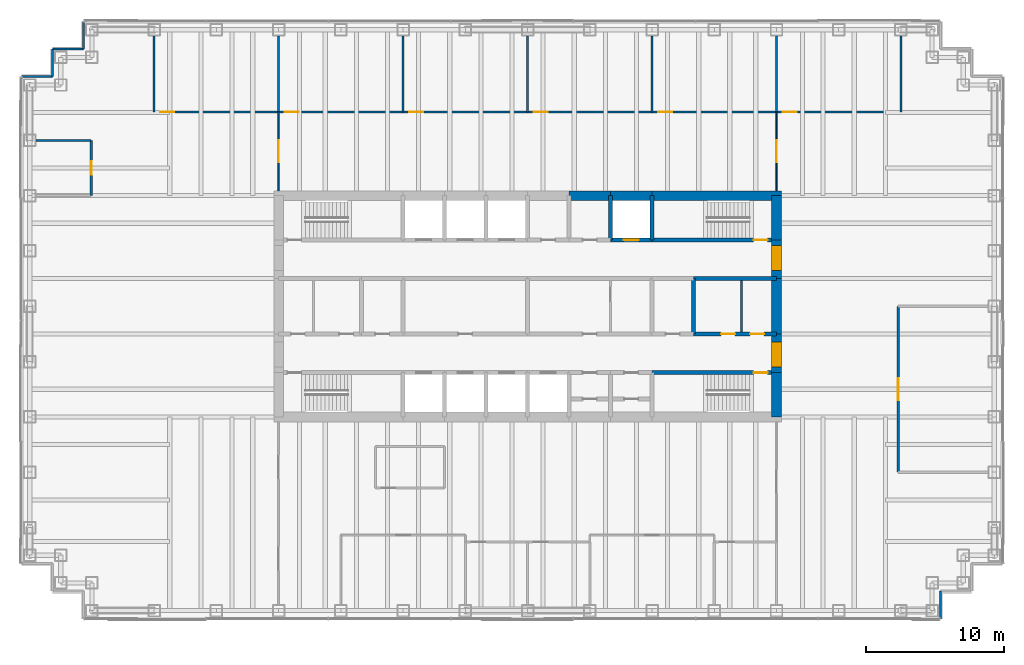
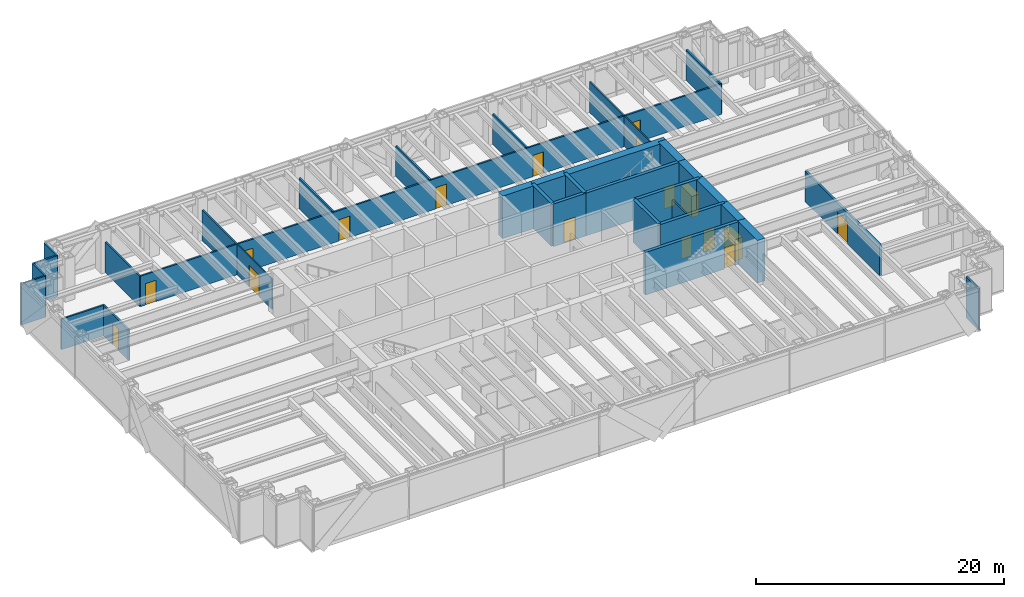
# One storey, part 13 of 15: 35 walls, 17 doors, 17 openings.
"""IFC4 building model written with IfcOpenShell, lengths in metres."""

from ifc_helpers import new_model, si_unit, direction, frame, frame_2d, origin, place, context, subcontext, project, spatial, rectangle, extrude, material, layer, layer_set, type_object, element, fill, save


model = new_model("IFC4")

# Units and contexts
model_context = context("Model", 3, precision=1e-05, world=origin(), true_north=direction((0.0, 1.0)))
body_context = subcontext(model_context, "Body", "Model", "MODEL_VIEW")
ifc_project = project(units=[si_unit("LENGTHUNIT", "METRE"), si_unit("AREAUNIT", "SQUARE_METRE"), si_unit("VOLUMEUNIT", "CUBIC_METRE"), si_unit("PLANEANGLEUNIT", "RADIAN"), si_unit("MASSUNIT", "GRAM", prefix="KILO")], contexts=[model_context])

# Site, building, storey
site_placement = place(None, origin())
site = spatial("IfcSite", under=ifc_project, at=site_placement, CompositionType="ELEMENT")
building_placement = place(site_placement, origin())
building = spatial("IfcBuilding", under=site, at=building_placement, Name="Rheinbord Bourse Tower", CompositionType="ELEMENT")
storey_placement = place(building_placement, frame((0.0, 0.0, 275.300048828125)))
storey = spatial("IfcBuildingStorey", under=building, at=storey_placement, Name="L62", CompositionType="ELEMENT", Elevation=275.300048828125)

# Wall, opening, door
ifc_material_1 = material(Name="Acoustic gypsum board partition", Category="gypsum board")
ifc_layer_1 = layer(ifc_material_1, 0.199951171875)
ifc_layer_set_1 = layer_set([ifc_layer_1], Name="ACOUSTIC PARTITION 200")
wall_type_1 = type_object("IfcWallType", Name="ACOUSTIC PARTITION 200", PredefinedType="PARTITIONING", material=ifc_layer_set_1)
wall_1_placement = place(storey_placement, frame((62.800048828125, 12.0, 0.0), z_axis=(0.0, 0.0, 1.0), x_axis=(0.0, 1.0, 0.0)))
wall_1 = element("IfcWall", 1, at=wall_1_placement, inside=storey, type_object=wall_type_1, Name="Partition L62-34", PredefinedType="PARTITIONING", context=body_context, shape_type="SweptSolid", body=[
    extrude(rectangle(XDim=12.0, YDim=0.199951171875, at=frame_2d((6.0, 0.0))), origin(), (0.0, 0.0, 1.0), 3.0),
])
opening_1_placement = place(wall_1_placement, frame((5.199951171875, 0.0, 0.0)))
opening_1 = element("IfcOpeningElement", 2, at=opening_1_placement, cuts=wall_1, Name="Opening 62D07", PredefinedType="OPENING", context=body_context, shape_type="SweptSolid", body=[
    extrude(rectangle(XDim=1.60009765625, YDim=2.10009765625, at=frame_2d((0.800048828125, 1.050048828125))), frame((0.0, 0.10986328125, 0.0), z_axis=(0.0, -1.0, 0.0), x_axis=(1.0, 0.0, 0.0)), (0.0, 0.0, 1.0), 0.219970703125),
])
ifc_material_2 = material(Name="Timber door", Category="wood")
door_type_1 = type_object("IfcDoorType", Name="DOUBLE ROOM DOOR 1600", OperationType="DOUBLE_DOOR_DOUBLE_SWING", PredefinedType="DOOR", material=ifc_material_2)
door_1_placement = place(opening_1_placement, origin())
door_1 = element("IfcDoor", 3, at=door_1_placement, inside=storey, type_object=door_type_1, Name="Conference room door L62", OperationType="SINGLE_SWING_LEFT", OverallHeight=2.10009765625, OverallWidth=1.60009765625, PredefinedType="DOOR", context=body_context, shape_type="SweptSolid", body=[
    extrude(rectangle(XDim=1.60009765625, YDim=2.10009765625, at=frame_2d((0.800048828125, 1.050048828125))), frame((0.0, 0.02490234375, 0.0), z_axis=(0.0, -1.0, 0.0), x_axis=(1.0, 0.0, 0.0)), (0.0, 0.0, 1.0), 0.050048828125),
])
fill(opening_1, door_1)

ifc_material_3 = material(Name="Concrete C50/60", Category="concrete")
ifc_layer_2 = layer(ifc_material_3, 0.300048828125)
ifc_layer_set_2 = layer_set([ifc_layer_2], Name="CORE INNER WALL 300")
wall_type_2 = type_object("IfcWallType", Name="CORE INNER WALL 300", PredefinedType="SOLIDWALL", material=ifc_layer_set_2)
wall_2_placement = place(storey_placement, frame((45.0, 19.199951171875, 0.0), z_axis=(0.0, 0.0, 1.0), x_axis=(1.0, 0.0, 0.0)))
wall_2 = element("IfcWall", 4, at=wall_2_placement, inside=storey, type_object=wall_type_2, Name="Core wall A8 L62", PredefinedType="SOLIDWALL", context=body_context, shape_type="SweptSolid", body=[
    extrude(rectangle(XDim=9.0, YDim=0.300048828125, at=frame_2d((4.5, 0.0))), origin(), (0.0, 0.0, 1.0), 4.199951171875),
])
opening_2_placement = place(wall_2_placement, frame((7.35009765625, 0.0, 0.0)))
opening_2 = element("IfcOpeningElement", 5, at=opening_2_placement, cuts=wall_2, Name="Opening 6230", PredefinedType="OPENING", context=body_context, shape_type="SweptSolid", body=[
    extrude(rectangle(XDim=1.0, YDim=2.10009765625, at=frame_2d((0.5, 1.050048828125))), frame((0.0, 0.159912109375, 0.0), z_axis=(0.0, -1.0, 0.0), x_axis=(1.0, 0.0, 0.0)), (0.0, 0.0, 1.0), 0.320068359375),
])
ifc_material_4 = material(Name="Steel door", Category="steel")
door_type_2 = type_object("IfcDoorType", Name="DOOR 1000 EI30", OperationType="SINGLE_SWING_LEFT", PredefinedType="DOOR", material=ifc_material_4)
door_2_placement = place(opening_2_placement, origin())
door_2 = element("IfcDoor", 6, at=door_2_placement, inside=storey, type_object=door_type_2, Name="Stair door ST3 L62", OperationType="SINGLE_SWING_RIGHT", OverallHeight=2.10009765625, OverallWidth=1.0, PredefinedType="DOOR", context=body_context, shape_type="SweptSolid", body=[
    extrude(rectangle(XDim=1.0, YDim=2.10009765625, at=frame_2d((0.5, 1.050048828125))), frame((0.0, 0.02490234375, 0.0), z_axis=(0.0, -1.0, 0.0), x_axis=(1.0, 0.0, 0.0)), (0.0, 0.0, 1.0), 0.050048828125),
])
fill(opening_2, door_2)

wall_3_placement = place(storey_placement, frame((42.0, 28.800048828125, 0.0), z_axis=(0.0, 0.0, 1.0), x_axis=(1.0, 0.0, 0.0)))
wall_3 = element("IfcWall", 7, at=wall_3_placement, inside=storey, type_object=wall_type_2, Name="Core wall B7 L62", PredefinedType="SOLIDWALL", context=body_context, shape_type="SweptSolid", body=[
    extrude(rectangle(XDim=3.0, YDim=0.300048828125, at=frame_2d((1.5, 0.0))), origin(), (0.0, 0.0, 1.0), 4.199951171875),
])
opening_3_placement = place(wall_3_placement, frame((0.949951171875, 0.0, 0.0)))
opening_3 = element("IfcOpeningElement", 8, at=opening_3_placement, cuts=wall_3, Name="Opening FL2", PredefinedType="OPENING", context=body_context, shape_type="SweptSolid", body=[
    extrude(rectangle(XDim=1.10009765625, YDim=2.199951171875, at=frame_2d((0.550048828125, 1.10009765625))), frame((0.0, 0.159912109375, 0.0), z_axis=(0.0, -1.0, 0.0), x_axis=(1.0, 0.0, 0.0)), (0.0, 0.0, 1.0), 0.320068359375),
])
ifc_material_5 = material(Name="Steel landing door", Category="steel")
door_type_3 = type_object("IfcDoorType", Name="LIFT LANDING DOOR 1100", OperationType="DOUBLE_DOOR_SLIDING", PredefinedType="USERDEFINED", material=ifc_material_5)
door_3_placement = place(opening_3_placement, origin())
door_3 = element("IfcDoor", 9, at=door_3_placement, inside=storey, type_object=door_type_3, Name="Lift landing door FL2 L62", ObjectType="LIFT LANDING DOOR", OperationType="DOUBLE_DOOR_SLIDING", OverallHeight=2.199951171875, OverallWidth=1.10009765625, PredefinedType="USERDEFINED", context=body_context, shape_type="SweptSolid", body=[
    extrude(rectangle(XDim=1.10009765625, YDim=2.199951171875, at=frame_2d((0.550048828125, 1.10009765625))), frame((0.0, 0.02490234375, 0.0), z_axis=(0.0, -1.0, 0.0), x_axis=(1.0, 0.0, 0.0)), (0.0, 0.0, 1.0), 0.050048828125),
])
fill(opening_3, door_3)

wall_4_placement = place(storey_placement, frame((45.0, 28.800048828125, 0.0), z_axis=(0.0, 0.0, 1.0), x_axis=(1.0, 0.0, 0.0)))
wall_4 = element("IfcWall", 10, at=wall_4_placement, inside=storey, type_object=wall_type_2, Name="Core wall B8 L62", PredefinedType="SOLIDWALL", context=body_context, shape_type="SweptSolid", body=[
    extrude(rectangle(XDim=9.0, YDim=0.300048828125, at=frame_2d((4.5, 0.0))), origin(), (0.0, 0.0, 1.0), 4.199951171875),
])
opening_4_placement = place(wall_4_placement, frame((7.35009765625, 0.0, 0.0)))
opening_4 = element("IfcOpeningElement", 11, at=opening_4_placement, cuts=wall_4, Name="Opening 6240", PredefinedType="OPENING", context=body_context, shape_type="SweptSolid", body=[
    extrude(rectangle(XDim=1.0, YDim=2.10009765625, at=frame_2d((0.5, 1.050048828125))), frame((0.0, 0.159912109375, 0.0), z_axis=(0.0, -1.0, 0.0), x_axis=(1.0, 0.0, 0.0)), (0.0, 0.0, 1.0), 0.320068359375),
])
door_4_placement = place(opening_4_placement, origin())
door_4 = element("IfcDoor", 12, at=door_4_placement, inside=storey, type_object=door_type_2, Name="Stair door ST4 L62", OperationType="SINGLE_SWING_RIGHT", OverallHeight=2.10009765625, OverallWidth=1.0, PredefinedType="DOOR", context=body_context, shape_type="SweptSolid", body=[
    extrude(rectangle(XDim=1.0, YDim=2.10009765625, at=frame_2d((0.5, 1.050048828125))), frame((0.0, 0.02490234375, 0.0), z_axis=(0.0, -1.0, 0.0), x_axis=(1.0, 0.0, 0.0)), (0.0, 0.0, 1.0), 0.050048828125),
])
fill(opening_4, door_4)

# Wall, openings, doors
wall_5_placement = place(storey_placement, frame((48.0, 22.0, 0.0), z_axis=(0.0, 0.0, 1.0), x_axis=(1.0, 0.0, 0.0)))
wall_5 = element("IfcWall", 13, at=wall_5_placement, inside=storey, type_object=wall_type_2, Name="Core wall C6 L62", PredefinedType="SOLIDWALL", context=body_context, shape_type="SweptSolid", body=[
    extrude(rectangle(XDim=6.0, YDim=0.300048828125, at=frame_2d((3.0, 0.0))), origin(), (0.0, 0.0, 1.0), 4.199951171875),
])
opening_5_placement = place(wall_5_placement, frame((2.0, 0.0, 0.0)))
opening_5 = element("IfcOpeningElement", 14, at=opening_5_placement, cuts=wall_5, Name="Opening 62R6", PredefinedType="OPENING", context=body_context, shape_type="SweptSolid", body=[
    extrude(rectangle(XDim=1.0, YDim=2.10009765625, at=frame_2d((0.5, 1.050048828125))), frame((0.0, 0.159912109375, 0.0), z_axis=(0.0, -1.0, 0.0), x_axis=(1.0, 0.0, 0.0)), (0.0, 0.0, 1.0), 0.320068359375),
])
opening_6_placement = place(wall_5_placement, frame((4.10009765625, 0.0, 0.0)))
opening_6 = element("IfcOpeningElement", 15, at=opening_6_placement, cuts=wall_5, Name="Opening 62R10", PredefinedType="OPENING", context=body_context, shape_type="SweptSolid", body=[
    extrude(rectangle(XDim=1.0, YDim=2.10009765625, at=frame_2d((0.5, 1.050048828125))), frame((0.0, 0.159912109375, 0.0), z_axis=(0.0, -1.0, 0.0), x_axis=(1.0, 0.0, 0.0)), (0.0, 0.0, 1.0), 0.320068359375),
])
door_5_placement = place(opening_6_placement, origin())
door_5 = element("IfcDoor", 16, at=door_5_placement, inside=storey, type_object=door_type_2, Name="Staff shower door L62", OperationType="SINGLE_SWING_RIGHT", OverallHeight=2.10009765625, OverallWidth=1.0, PredefinedType="DOOR", context=body_context, shape_type="SweptSolid", body=[
    extrude(rectangle(XDim=1.0, YDim=2.10009765625, at=frame_2d((0.5, 1.050048828125))), frame((0.0, 0.02490234375, 0.0), z_axis=(0.0, -1.0, 0.0), x_axis=(1.0, 0.0, 0.0)), (0.0, 0.0, 1.0), 0.050048828125),
])
fill(opening_6, door_5)
ifc_material_6 = material(Name="Timber door", Category="wood")
door_type_4 = type_object("IfcDoorType", Name="DOOR 1000 WC", OperationType="SINGLE_SWING_LEFT", PredefinedType="DOOR", material=ifc_material_6)
door_6_placement = place(opening_5_placement, origin())
door_6 = element("IfcDoor", 17, at=door_6_placement, inside=storey, type_object=door_type_4, Name="WC women door L62", OperationType="SINGLE_SWING_LEFT", OverallHeight=2.10009765625, OverallWidth=1.0, PredefinedType="DOOR", context=body_context, shape_type="SweptSolid", body=[
    extrude(rectangle(XDim=1.0, YDim=2.10009765625, at=frame_2d((0.5, 1.050048828125))), frame((0.0, 0.02490234375, 0.0), z_axis=(0.0, -1.0, 0.0), x_axis=(1.0, 0.0, 0.0)), (0.0, 0.0, 1.0), 0.050048828125),
])
fill(opening_5, door_6)

# Walls
wall_6_placement = place(storey_placement, frame((48.0, 26.0, 0.0), z_axis=(0.0, 0.0, 1.0), x_axis=(1.0, 0.0, 0.0)))
element("IfcWall", 18, at=wall_6_placement, inside=storey, type_object=wall_type_2, Name="Core wall D6 L62", PredefinedType="SOLIDWALL", context=body_context, shape_type="SweptSolid", body=[
    extrude(rectangle(XDim=6.0, YDim=0.300048828125, at=frame_2d((3.0, 0.0))), origin(), (0.0, 0.0, 1.0), 4.199951171875),
])
for number, where, z_axis, x_axis, name in (
    (19, (42.0, 28.800048828125, 0.0), (0.0, 0.0, 1.0), (0.0, 1.0, 0.0), "Core wall NX42 L62"),
    (20, (45.0, 28.800048828125, 0.0), (0.0, 0.0, 1.0), (0.0, 1.0, 0.0), "Core wall NX45 L62"),
):
    element("IfcWall", number, at=place(storey_placement, frame(where, z_axis=z_axis, x_axis=x_axis)), inside=storey, type_object=wall_type_2, Name=name, PredefinedType="SOLIDWALL", context=body_context, shape_type="SweptSolid", body=[
        extrude(rectangle(XDim=3.199951171875, YDim=0.300048828125, at=frame_2d((1.60009765625, 0.0))), origin(), (0.0, 0.0, 1.0), 4.199951171875),
    ])
wall_7_placement = place(storey_placement, frame((48.0, 22.0, 0.0), z_axis=(0.0, 0.0, 1.0), x_axis=(0.0, 1.0, 0.0)))
element("IfcWall", 21, at=wall_7_placement, inside=storey, type_object=wall_type_2, Name="Core wall MX48 L62", PredefinedType="SOLIDWALL", context=body_context, shape_type="SweptSolid", body=[
    extrude(rectangle(XDim=4.0, YDim=0.300048828125, at=frame_2d((2.0, 0.0))), origin(), (0.0, 0.0, 1.0), 4.199951171875),
])
ifc_material_7 = material(Name="Gypsum board fire partition", Category="gypsum board")
ifc_layer_3 = layer(ifc_material_7, 0.14990234375)
ifc_layer_set_3 = layer_set([ifc_layer_3], Name="CORE PARTITION 150 EI30")
wall_type_3 = type_object("IfcWallType", Name="CORE PARTITION 150 EI30", PredefinedType="PARTITIONING", material=ifc_layer_set_3)
wall_8_placement = place(storey_placement, frame((51.47509765625, 22.14990234375, 0.0), z_axis=(0.0, 0.0, 1.0), x_axis=(0.0, 1.0, 0.0)))
element("IfcWall", 22, at=wall_8_placement, inside=storey, type_object=wall_type_3, Name="Core partition L62-3", PredefinedType="PARTITIONING", context=body_context, shape_type="SweptSolid", body=[
    extrude(rectangle(XDim=3.7001953125, YDim=0.14990234375, at=frame_2d((1.85009765625, 0.0))), origin(), (0.0, 0.0, 1.0), 3.0),
])
ifc_material_8 = material(Name="Concrete C50/60", Category="concrete")
ifc_layer_4 = layer(ifc_material_8, 0.699951171875)
ifc_layer_set_4 = layer_set([ifc_layer_4], Name="CORE WALL 700")
wall_type_4 = type_object("IfcWallType", Name="CORE WALL 700", PredefinedType="SHEAR", material=ifc_layer_set_4)
wall_9_placement = place(storey_placement, frame((54.35009765625, 32.0, 0.0), z_axis=(0.0, 0.0, 1.0), x_axis=(-1.0, 0.0, 0.0)))
element("IfcWall", 23, at=wall_9_placement, inside=storey, type_object=wall_type_4, Name="Core wall N1 L62", PredefinedType="SHEAR", context=body_context, shape_type="SweptSolid", body=[
    extrude(rectangle(XDim=9.35009765625, YDim=0.699951171875, at=frame_2d((4.675048828125, 0.0))), origin(), (0.0, 0.0, 1.0), 4.199951171875),
])
for number, where, z_axis, x_axis, name in (
    (24, (45.0, 32.0, 0.0), (0.0, 0.0, 1.0), (-1.0, 0.0, 0.0), "Core wall N2 L62"),
    (25, (42.0, 32.0, 0.0), (0.0, 0.0, 1.0), (-1.0, 0.0, 0.0), "Core wall N3 L62"),
):
    element("IfcWall", number, at=place(storey_placement, frame(where, z_axis=z_axis, x_axis=x_axis)), inside=storey, type_object=wall_type_4, Name=name, PredefinedType="SHEAR", context=body_context, shape_type="SweptSolid", body=[
        extrude(rectangle(XDim=3.0, YDim=0.699951171875, at=frame_2d((1.5, 0.0))), origin(), (0.0, 0.0, 1.0), 4.199951171875),
    ])
wall_10_placement = place(storey_placement, frame((54.0, 16.0, 0.0), z_axis=(0.0, 0.0, 1.0), x_axis=(0.0, 1.0, 0.0)))
element("IfcWall", 26, at=wall_10_placement, inside=storey, type_object=wall_type_4, Name="Core wall E1 L62", PredefinedType="SHEAR", context=body_context, shape_type="SweptSolid", body=[
    extrude(rectangle(XDim=3.199951171875, YDim=0.699951171875, at=frame_2d((1.60009765625, 0.0))), origin(), (0.0, 0.0, 1.0), 4.199951171875),
])

# Wall, opening, door
wall_11_placement = place(storey_placement, frame((54.0, 19.199951171875, 0.0), z_axis=(0.0, 0.0, 1.0), x_axis=(0.0, 1.0, 0.0)))
wall_11 = element("IfcWall", 27, at=wall_11_placement, inside=storey, type_object=wall_type_4, Name="Core wall E2 L62", PredefinedType="SHEAR", context=body_context, shape_type="SweptSolid", body=[
    extrude(rectangle(XDim=2.800048828125, YDim=0.699951171875, at=frame_2d((1.39990234375, 0.0))), origin(), (0.0, 0.0, 1.0), 4.199951171875),
])
opening_7_placement = place(wall_11_placement, frame((0.39990234375, 0.0, 0.0)))
opening_7 = element("IfcOpeningElement", 28, at=opening_7_placement, cuts=wall_11, Name="Opening 62L3", PredefinedType="OPENING", context=body_context, shape_type="SweptSolid", body=[
    extrude(rectangle(XDim=1.800048828125, YDim=2.10009765625, at=frame_2d((0.89990234375, 1.050048828125))), frame((0.0, 0.35986328125, 0.0), z_axis=(0.0, -1.0, 0.0), x_axis=(1.0, 0.0, 0.0)), (0.0, 0.0, 1.0), 0.719970703125),
])
ifc_material_9 = material(Name="Steel door", Category="steel")
door_type_5 = type_object("IfcDoorType", Name="DOOR 1800 EI30 DOUBLE", OperationType="DOUBLE_DOOR_DOUBLE_SWING", PredefinedType="DOOR", material=ifc_material_9)
door_7_placement = place(opening_7_placement, origin())
door_7 = element("IfcDoor", 29, at=door_7_placement, inside=storey, type_object=door_type_5, Name="Lobby door 3 L62", OperationType="SINGLE_SWING_LEFT", OverallHeight=2.10009765625, OverallWidth=1.800048828125, PredefinedType="DOOR", context=body_context, shape_type="SweptSolid", body=[
    extrude(rectangle(XDim=1.800048828125, YDim=2.10009765625, at=frame_2d((0.89990234375, 1.050048828125))), frame((0.0, 0.349609375, 0.0), z_axis=(0.0, -1.0, 0.0), x_axis=(1.0, 0.0, 0.0)), (0.0, 0.0, 1.0), 0.699462890625),
])
fill(opening_7, door_7)

# Wall
wall_12_placement = place(storey_placement, frame((54.0, 22.0, 0.0), z_axis=(0.0, 0.0, 1.0), x_axis=(0.0, 1.0, 0.0)))
element("IfcWall", 30, at=wall_12_placement, inside=storey, type_object=wall_type_4, Name="Core wall E3 L62", PredefinedType="SHEAR", context=body_context, shape_type="SweptSolid", body=[
    extrude(rectangle(XDim=4.0, YDim=0.699951171875, at=frame_2d((2.0, 0.0))), origin(), (0.0, 0.0, 1.0), 4.199951171875),
])

# Wall, opening, door
wall_13_placement = place(storey_placement, frame((54.0, 26.0, 0.0), z_axis=(0.0, 0.0, 1.0), x_axis=(0.0, 1.0, 0.0)))
wall_13 = element("IfcWall", 31, at=wall_13_placement, inside=storey, type_object=wall_type_4, Name="Core wall E4 L62", PredefinedType="SHEAR", context=body_context, shape_type="SweptSolid", body=[
    extrude(rectangle(XDim=2.800048828125, YDim=0.699951171875, at=frame_2d((1.39990234375, 0.0))), origin(), (0.0, 0.0, 1.0), 4.199951171875),
])
opening_8_placement = place(wall_13_placement, frame((0.60009765625, 0.0, 0.0)))
opening_8 = element("IfcOpeningElement", 32, at=opening_8_placement, cuts=wall_13, Name="Opening 62L4", PredefinedType="OPENING", context=body_context, shape_type="SweptSolid", body=[
    extrude(rectangle(XDim=1.800048828125, YDim=2.10009765625, at=frame_2d((0.89990234375, 1.050048828125))), frame((0.0, 0.35986328125, 0.0), z_axis=(0.0, -1.0, 0.0), x_axis=(1.0, 0.0, 0.0)), (0.0, 0.0, 1.0), 0.719970703125),
])
door_8_placement = place(opening_8_placement, origin())
door_8 = element("IfcDoor", 33, at=door_8_placement, inside=storey, type_object=door_type_5, Name="Lobby door 4 L62", OperationType="SINGLE_SWING_LEFT", OverallHeight=2.10009765625, OverallWidth=1.800048828125, PredefinedType="DOOR", context=body_context, shape_type="SweptSolid", body=[
    extrude(rectangle(XDim=1.800048828125, YDim=2.10009765625, at=frame_2d((0.89990234375, 1.050048828125))), frame((0.0, 0.349609375, 0.0), z_axis=(0.0, -1.0, 0.0), x_axis=(1.0, 0.0, 0.0)), (0.0, 0.0, 1.0), 0.699462890625),
])
fill(opening_8, door_8)

# Walls
wall_14_placement = place(storey_placement, frame((54.0, 28.800048828125, 0.0), z_axis=(0.0, 0.0, 1.0), x_axis=(0.0, 1.0, 0.0)))
element("IfcWall", 34, at=wall_14_placement, inside=storey, type_object=wall_type_4, Name="Core wall E5 L62", PredefinedType="SHEAR", context=body_context, shape_type="SweptSolid", body=[
    extrude(rectangle(XDim=3.199951171875, YDim=0.699951171875, at=frame_2d((1.60009765625, 0.0))), origin(), (0.0, 0.0, 1.0), 4.199951171875),
])
ifc_material_10 = material(Name="Black metal rainscreen panel", Category="aluminium")
ifc_layer_5 = layer(ifc_material_10, 0.14990234375)
ifc_layer_set_5 = layer_set([ifc_layer_5], Name="CORNER PIER CLADDING 150")
wall_type_5 = type_object("IfcWallType", Name="CORNER PIER CLADDING 150", PredefinedType="ELEMENTEDWALL", material=ifc_layer_set_5)
for number, where, z_axis, x_axis, name in (
    (35, (65.85009765625, 1.39990234375, 0.0), (0.0, 0.0, 1.0), (0.0, 1.0, 0.0), "Corner pier cladding L62 2"),
    (36, (3.89990234375, 44.60009765625, 0.0), (0.0, 0.0, 1.0), (0.0, -1.0, 0.0), "Corner pier cladding L62 12"),
):
    element("IfcWall", number, at=place(storey_placement, frame(where, z_axis=z_axis, x_axis=x_axis)), inside=storey, type_object=wall_type_5, Name=name, PredefinedType="ELEMENTEDWALL", context=body_context, shape_type="SweptSolid", body=[
        extrude(rectangle(XDim=2.0, YDim=0.14990234375, at=frame_2d((1.0, 0.0))), origin(), (0.0, 0.0, 1.0), 4.0400390625),
    ])
wall_15_placement = place(storey_placement, frame((3.89990234375, 42.60009765625, 0.0), z_axis=(0.0, 0.0, 1.0), x_axis=(-1.0, 0.0, 0.0)))
element("IfcWall", 37, at=wall_15_placement, inside=storey, type_object=wall_type_5, Name="Corner pier cladding L62 13", PredefinedType="ELEMENTEDWALL", context=body_context, shape_type="SweptSolid", body=[
    extrude(rectangle(XDim=2.25, YDim=0.14990234375, at=frame_2d((1.125, 0.0))), origin(), (0.0, 0.0, 1.0), 4.0400390625),
])
wall_16_placement = place(storey_placement, frame((1.64990234375, 42.60009765625, 0.0), z_axis=(0.0, 0.0, 1.0), x_axis=(0.0, -1.0, 0.0)))
element("IfcWall", 38, at=wall_16_placement, inside=storey, type_object=wall_type_5, Name="Corner pier cladding L62 14", PredefinedType="ELEMENTEDWALL", context=body_context, shape_type="SweptSolid", body=[
    extrude(rectangle(XDim=2.0, YDim=0.14990234375, at=frame_2d((1.0, 0.0))), origin(), (0.0, 0.0, 1.0), 4.0400390625),
])
wall_17_placement = place(storey_placement, frame((1.64990234375, 40.60009765625, 0.0), z_axis=(0.0, 0.0, 1.0), x_axis=(-1.0, 0.0, 0.0)))
element("IfcWall", 39, at=wall_17_placement, inside=storey, type_object=wall_type_5, Name="Corner pier cladding L62 15", PredefinedType="ELEMENTEDWALL", context=body_context, shape_type="SweptSolid", body=[
    extrude(rectangle(XDim=2.25, YDim=0.14990234375, at=frame_2d((1.125, 0.0))), origin(), (0.0, 0.0, 1.0), 4.0400390625),
])

# Wall, opening, door
ifc_material_11 = material(Name="Toughened laminated glass partition", Category="glass")
ifc_layer_6 = layer(ifc_material_11, 0.10009765625)
ifc_layer_set_6 = layer_set([ifc_layer_6], Name="GLAZED PARTITION 100")
wall_type_6 = type_object("IfcWallType", Name="GLAZED PARTITION 100", PredefinedType="PARTITIONING", material=ifc_layer_set_6)
wall_18_placement = place(storey_placement, frame((18.0, 32.35009765625, 0.0), z_axis=(0.0, 0.0, 1.0), x_axis=(0.0, 1.0, 0.0)))
wall_18 = element("IfcWall", 40, at=wall_18_placement, inside=storey, type_object=wall_type_6, Name="Partition L62-15", PredefinedType="PARTITIONING", context=body_context, shape_type="SweptSolid", body=[
    extrude(rectangle(XDim=5.699951171875, YDim=0.10009765625, at=frame_2d((2.85009765625, 0.0))), origin(), (0.0, 0.0, 1.0), 3.0),
])
opening_9_placement = place(wall_18_placement, frame((2.050048828125, 0.0, 0.0)))
opening_9 = element("IfcOpeningElement", 41, at=opening_9_placement, cuts=wall_18, Name="Opening 62D17", PredefinedType="OPENING", context=body_context, shape_type="SweptSolid", body=[
    extrude(rectangle(XDim=1.60009765625, YDim=2.10009765625, at=frame_2d((0.800048828125, 1.050048828125))), frame((0.0, 0.06005859375, 0.0), z_axis=(0.0, -1.0, 0.0), x_axis=(1.0, 0.0, 0.0)), (0.0, 0.0, 1.0), 0.1201171875),
])
door_9_placement = place(opening_9_placement, origin())
door_9 = element("IfcDoor", 42, at=door_9_placement, inside=storey, type_object=door_type_1, Name="Open area door L62", OperationType="SINGLE_SWING_LEFT", OverallHeight=2.10009765625, OverallWidth=1.60009765625, PredefinedType="DOOR", context=body_context, shape_type="SweptSolid", body=[
    extrude(rectangle(XDim=1.60009765625, YDim=2.10009765625, at=frame_2d((0.800048828125, 1.050048828125))), frame((0.0, 0.02490234375, 0.0), z_axis=(0.0, -1.0, 0.0), x_axis=(1.0, 0.0, 0.0)), (0.0, 0.0, 1.0), 0.050048828125),
])
fill(opening_9, door_9)

wall_19_placement = place(storey_placement, frame((54.0, 32.35009765625, 0.0), z_axis=(0.0, 0.0, 1.0), x_axis=(0.0, 1.0, 0.0)))
wall_19 = element("IfcWall", 43, at=wall_19_placement, inside=storey, type_object=wall_type_6, Name="Partition L62-32", PredefinedType="PARTITIONING", context=body_context, shape_type="SweptSolid", body=[
    extrude(rectangle(XDim=5.699951171875, YDim=0.10009765625, at=frame_2d((2.85009765625, 0.0))), origin(), (0.0, 0.0, 1.0), 3.0),
])
opening_10_placement = place(wall_19_placement, frame((2.050048828125, 0.0, 0.0)))
opening_10 = element("IfcOpeningElement", 44, at=opening_10_placement, cuts=wall_19, Name="Opening 62D19", PredefinedType="OPENING", context=body_context, shape_type="SweptSolid", body=[
    extrude(rectangle(XDim=1.60009765625, YDim=2.10009765625, at=frame_2d((0.800048828125, 1.050048828125))), frame((0.0, 0.06005859375, 0.0), z_axis=(0.0, -1.0, 0.0), x_axis=(1.0, 0.0, 0.0)), (0.0, 0.0, 1.0), 0.1201171875),
])
door_10_placement = place(opening_10_placement, origin())
door_10 = element("IfcDoor", 45, at=door_10_placement, inside=storey, type_object=door_type_1, Name="Open area door L62", OperationType="SINGLE_SWING_LEFT", OverallHeight=2.10009765625, OverallWidth=1.60009765625, PredefinedType="DOOR", context=body_context, shape_type="SweptSolid", body=[
    extrude(rectangle(XDim=1.60009765625, YDim=2.10009765625, at=frame_2d((0.800048828125, 1.050048828125))), frame((0.0, 0.02490234375, 0.0), z_axis=(0.0, -1.0, 0.0), x_axis=(1.0, 0.0, 0.0)), (0.0, 0.0, 1.0), 0.050048828125),
])
fill(opening_10, door_10)

# Wall
ifc_material_12 = material(Name="Gypsum board partition", Category="gypsum board")
ifc_layer_7 = layer(ifc_material_12, 0.14990234375)
ifc_layer_set_7 = layer_set([ifc_layer_7], Name="PARTITION 150")
wall_type_7 = type_object("IfcWallType", Name="PARTITION 150", PredefinedType="PARTITIONING", material=ifc_layer_set_7)
wall_20_placement = place(storey_placement, frame((0.449951171875, 36.0, 0.0), z_axis=(0.0, 0.0, 1.0), x_axis=(1.0, 0.0, 0.0)))
element("IfcWall", 46, at=wall_20_placement, inside=storey, type_object=wall_type_7, Name="Partition L62-10", PredefinedType="PARTITIONING", context=body_context, shape_type="SweptSolid", body=[
    extrude(rectangle(XDim=4.0, YDim=0.14990234375, at=frame_2d((2.0, 0.0))), origin(), (0.0, 0.0, 1.0), 3.0),
])

# Wall, openings, doors
wall_21_placement = place(storey_placement, frame((9.0, 38.050048828125, 0.0), z_axis=(0.0, 0.0, 1.0), x_axis=(1.0, 0.0, 0.0)))
wall_21 = element("IfcWall", 47, at=wall_21_placement, inside=storey, type_object=wall_type_7, Name="Partition L62-11", PredefinedType="PARTITIONING", context=body_context, shape_type="SweptSolid", body=[
    extrude(rectangle(XDim=54.0, YDim=0.14990234375, at=frame_2d((27.0, 0.0))), origin(), (0.0, 0.0, 1.0), 3.0),
])
opening_11_placement = place(wall_21_placement, frame((0.449951171875, 0.0, 0.0)))
opening_11 = element("IfcOpeningElement", 48, at=opening_11_placement, cuts=wall_21, Name="Opening 62D09", PredefinedType="OPENING", context=body_context, shape_type="SweptSolid", body=[
    extrude(rectangle(XDim=1.0, YDim=2.10009765625, at=frame_2d((0.5, 1.050048828125))), frame((0.0, 0.0849609375, 0.0), z_axis=(0.0, -1.0, 0.0), x_axis=(1.0, 0.0, 0.0)), (0.0, 0.0, 1.0), 0.169921875),
])
opening_12_placement = place(wall_21_placement, frame((9.449951171875, 0.0, 0.0)))
opening_12 = element("IfcOpeningElement", 49, at=opening_12_placement, cuts=wall_21, Name="Opening 62D10", PredefinedType="OPENING", context=body_context, shape_type="SweptSolid", body=[
    extrude(rectangle(XDim=1.0, YDim=2.10009765625, at=frame_2d((0.5, 1.050048828125))), frame((0.0, 0.0849609375, 0.0), z_axis=(0.0, -1.0, 0.0), x_axis=(1.0, 0.0, 0.0)), (0.0, 0.0, 1.0), 0.169921875),
])
opening_13_placement = place(wall_21_placement, frame((18.449951171875, 0.0, 0.0)))
opening_13 = element("IfcOpeningElement", 50, at=opening_13_placement, cuts=wall_21, Name="Opening 62D11", PredefinedType="OPENING", context=body_context, shape_type="SweptSolid", body=[
    extrude(rectangle(XDim=1.0, YDim=2.10009765625, at=frame_2d((0.5, 1.050048828125))), frame((0.0, 0.0849609375, 0.0), z_axis=(0.0, -1.0, 0.0), x_axis=(1.0, 0.0, 0.0)), (0.0, 0.0, 1.0), 0.169921875),
])
opening_14_placement = place(wall_21_placement, frame((27.449951171875, 0.0, 0.0)))
opening_14 = element("IfcOpeningElement", 51, at=opening_14_placement, cuts=wall_21, Name="Opening 62D12", PredefinedType="OPENING", context=body_context, shape_type="SweptSolid", body=[
    extrude(rectangle(XDim=1.0, YDim=2.10009765625, at=frame_2d((0.5, 1.050048828125))), frame((0.0, 0.0849609375, 0.0), z_axis=(0.0, -1.0, 0.0), x_axis=(1.0, 0.0, 0.0)), (0.0, 0.0, 1.0), 0.169921875),
])
opening_15_placement = place(wall_21_placement, frame((36.449951171875, 0.0, 0.0)))
opening_15 = element("IfcOpeningElement", 52, at=opening_15_placement, cuts=wall_21, Name="Opening 62D13", PredefinedType="OPENING", context=body_context, shape_type="SweptSolid", body=[
    extrude(rectangle(XDim=1.0, YDim=2.10009765625, at=frame_2d((0.5, 1.050048828125))), frame((0.0, 0.0849609375, 0.0), z_axis=(0.0, -1.0, 0.0), x_axis=(1.0, 0.0, 0.0)), (0.0, 0.0, 1.0), 0.169921875),
])
opening_16_placement = place(wall_21_placement, frame((45.449951171875, 0.0, 0.0)))
opening_16 = element("IfcOpeningElement", 53, at=opening_16_placement, cuts=wall_21, Name="Opening 62D14", PredefinedType="OPENING", context=body_context, shape_type="SweptSolid", body=[
    extrude(rectangle(XDim=1.0, YDim=2.10009765625, at=frame_2d((0.5, 1.050048828125))), frame((0.0, 0.0849609375, 0.0), z_axis=(0.0, -1.0, 0.0), x_axis=(1.0, 0.0, 0.0)), (0.0, 0.0, 1.0), 0.169921875),
])
ifc_material_13 = material(Name="Timber door", Category="wood")
door_type_6 = type_object("IfcDoorType", Name="ROOM DOOR 1000", OperationType="SINGLE_SWING_LEFT", PredefinedType="DOOR", material=ifc_material_13)
door_11_placement = place(opening_11_placement, origin())
door_11 = element("IfcDoor", 54, at=door_11_placement, inside=storey, type_object=door_type_6, Name="Executive office door L62", OperationType="SINGLE_SWING_LEFT", OverallHeight=2.10009765625, OverallWidth=1.0, PredefinedType="DOOR", context=body_context, shape_type="SweptSolid", body=[
    extrude(rectangle(XDim=1.0, YDim=2.10009765625, at=frame_2d((0.5, 1.050048828125))), frame((0.0, 0.02490234375, 0.0), z_axis=(0.0, -1.0, 0.0), x_axis=(1.0, 0.0, 0.0)), (0.0, 0.0, 1.0), 0.050048828125),
])
fill(opening_11, door_11)
door_12_placement = place(opening_12_placement, origin())
door_12 = element("IfcDoor", 55, at=door_12_placement, inside=storey, type_object=door_type_6, Name="Executive office door L62", OperationType="SINGLE_SWING_LEFT", OverallHeight=2.10009765625, OverallWidth=1.0, PredefinedType="DOOR", context=body_context, shape_type="SweptSolid", body=[
    extrude(rectangle(XDim=1.0, YDim=2.10009765625, at=frame_2d((0.5, 1.050048828125))), frame((0.0, 0.02490234375, 0.0), z_axis=(0.0, -1.0, 0.0), x_axis=(1.0, 0.0, 0.0)), (0.0, 0.0, 1.0), 0.050048828125),
])
fill(opening_12, door_12)
door_13_placement = place(opening_13_placement, origin())
door_13 = element("IfcDoor", 56, at=door_13_placement, inside=storey, type_object=door_type_6, Name="Executive office door L62", OperationType="SINGLE_SWING_LEFT", OverallHeight=2.10009765625, OverallWidth=1.0, PredefinedType="DOOR", context=body_context, shape_type="SweptSolid", body=[
    extrude(rectangle(XDim=1.0, YDim=2.10009765625, at=frame_2d((0.5, 1.050048828125))), frame((0.0, 0.02490234375, 0.0), z_axis=(0.0, -1.0, 0.0), x_axis=(1.0, 0.0, 0.0)), (0.0, 0.0, 1.0), 0.050048828125),
])
fill(opening_13, door_13)
door_14_placement = place(opening_14_placement, origin())
door_14 = element("IfcDoor", 57, at=door_14_placement, inside=storey, type_object=door_type_6, Name="Executive office door L62", OperationType="SINGLE_SWING_RIGHT", OverallHeight=2.10009765625, OverallWidth=1.0, PredefinedType="DOOR", context=body_context, shape_type="SweptSolid", body=[
    extrude(rectangle(XDim=1.0, YDim=2.10009765625, at=frame_2d((0.5, 1.050048828125))), frame((0.0, 0.02490234375, 0.0), z_axis=(0.0, -1.0, 0.0), x_axis=(1.0, 0.0, 0.0)), (0.0, 0.0, 1.0), 0.050048828125),
])
fill(opening_14, door_14)
door_15_placement = place(opening_15_placement, origin())
door_15 = element("IfcDoor", 58, at=door_15_placement, inside=storey, type_object=door_type_6, Name="Executive office door L62", OperationType="SINGLE_SWING_RIGHT", OverallHeight=2.10009765625, OverallWidth=1.0, PredefinedType="DOOR", context=body_context, shape_type="SweptSolid", body=[
    extrude(rectangle(XDim=1.0, YDim=2.10009765625, at=frame_2d((0.5, 1.050048828125))), frame((0.0, 0.02490234375, 0.0), z_axis=(0.0, -1.0, 0.0), x_axis=(1.0, 0.0, 0.0)), (0.0, 0.0, 1.0), 0.050048828125),
])
fill(opening_15, door_15)
door_16_placement = place(opening_16_placement, origin())
door_16 = element("IfcDoor", 59, at=door_16_placement, inside=storey, type_object=door_type_6, Name="Executive office door L62", OperationType="SINGLE_SWING_RIGHT", OverallHeight=2.10009765625, OverallWidth=1.0, PredefinedType="DOOR", context=body_context, shape_type="SweptSolid", body=[
    extrude(rectangle(XDim=1.0, YDim=2.10009765625, at=frame_2d((0.5, 1.050048828125))), frame((0.0, 0.02490234375, 0.0), z_axis=(0.0, -1.0, 0.0), x_axis=(1.0, 0.0, 0.0)), (0.0, 0.0, 1.0), 0.050048828125),
])
fill(opening_16, door_16)

# Wall, opening, door
wall_22_placement = place(storey_placement, frame((4.449951171875, 32.0, 0.0), z_axis=(0.0, 0.0, 1.0), x_axis=(0.0, 1.0, 0.0)))
wall_22 = element("IfcWall", 60, at=wall_22_placement, inside=storey, type_object=wall_type_7, Name="Partition L62-12", PredefinedType="PARTITIONING", context=body_context, shape_type="SweptSolid", body=[
    extrude(rectangle(XDim=4.0, YDim=0.14990234375, at=frame_2d((2.0, 0.0))), origin(), (0.0, 0.0, 1.0), 3.0),
])
opening_17_placement = place(wall_22_placement, frame((1.5, 0.0, 0.0)))
opening_17 = element("IfcOpeningElement", 61, at=opening_17_placement, cuts=wall_22, Name="Opening 62D08", PredefinedType="OPENING", context=body_context, shape_type="SweptSolid", body=[
    extrude(rectangle(XDim=1.0, YDim=2.10009765625, at=frame_2d((0.5, 1.050048828125))), frame((0.0, 0.0849609375, 0.0), z_axis=(0.0, -1.0, 0.0), x_axis=(1.0, 0.0, 0.0)), (0.0, 0.0, 1.0), 0.169921875),
])
door_17_placement = place(opening_17_placement, origin())
door_17 = element("IfcDoor", 62, at=door_17_placement, inside=storey, type_object=door_type_6, Name="Store door L62", OperationType="SINGLE_SWING_LEFT", OverallHeight=2.10009765625, OverallWidth=1.0, PredefinedType="DOOR", context=body_context, shape_type="SweptSolid", body=[
    extrude(rectangle(XDim=1.0, YDim=2.10009765625, at=frame_2d((0.5, 1.050048828125))), frame((0.0, 0.02490234375, 0.0), z_axis=(0.0, -1.0, 0.0), x_axis=(1.0, 0.0, 0.0)), (0.0, 0.0, 1.0), 0.050048828125),
])
fill(opening_17, door_17)

# Walls
for number, where, z_axis, x_axis, name in (
    (63, (9.0, 38.050048828125, 0.0), (0.0, 0.0, 1.0), (0.0, 1.0, 0.0), "Partition L62-13"),
    (64, (18.0, 38.050048828125, 0.0), (0.0, 0.0, 1.0), (0.0, 1.0, 0.0), "Partition L62-16"),
    (65, (27.0, 38.050048828125, 0.0), (0.0, 0.0, 1.0), (0.0, 1.0, 0.0), "Partition L62-19"),
    (66, (36.0, 38.050048828125, 0.0), (0.0, 0.0, 1.0), (0.0, 1.0, 0.0), "Partition L62-24"),
    (67, (45.0, 38.050048828125, 0.0), (0.0, 0.0, 1.0), (0.0, 1.0, 0.0), "Partition L62-27"),
    (68, (54.0, 38.050048828125, 0.0), (0.0, 0.0, 1.0), (0.0, 1.0, 0.0), "Partition L62-33"),
    (69, (63.0, 38.050048828125, 0.0), (0.0, 0.0, 1.0), (0.0, 1.0, 0.0), "Partition L62-35"),
):
    element("IfcWall", number, at=place(storey_placement, frame(where, z_axis=z_axis, x_axis=x_axis)), inside=storey, type_object=wall_type_7, Name=name, PredefinedType="PARTITIONING", context=body_context, shape_type="SweptSolid", body=[
        extrude(rectangle(XDim=5.5, YDim=0.14990234375, at=frame_2d((2.75, 0.0))), origin(), (0.0, 0.0, 1.0), 3.0),
    ])

save(model, "model.ifc")
